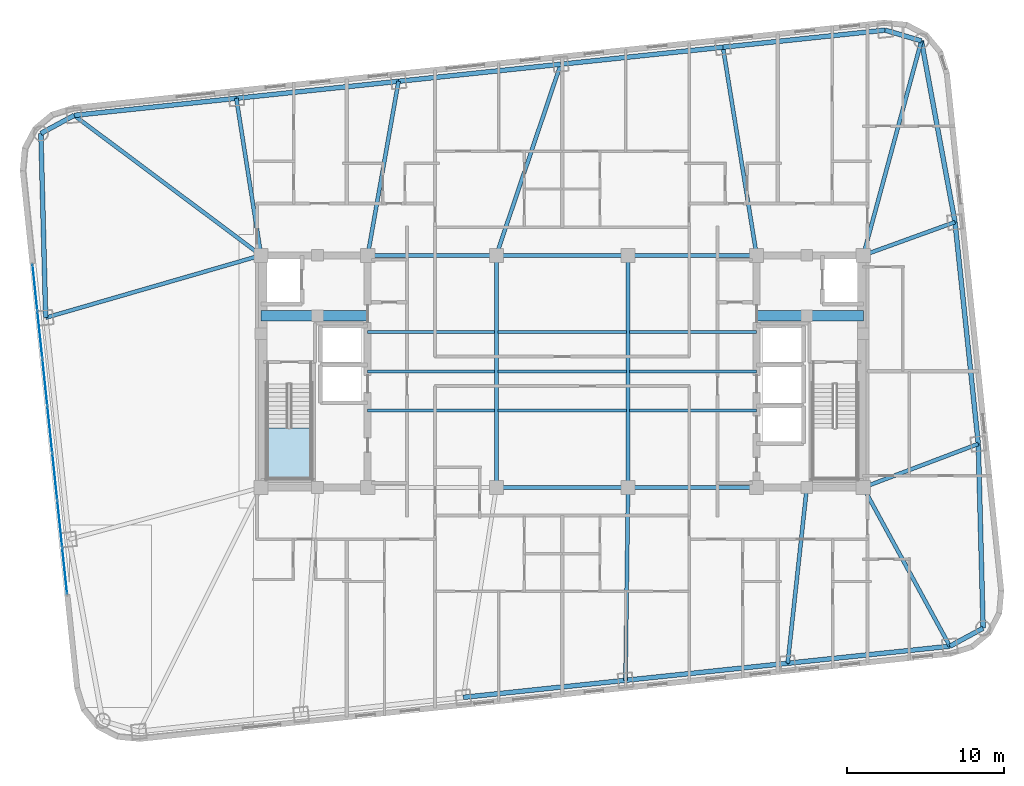
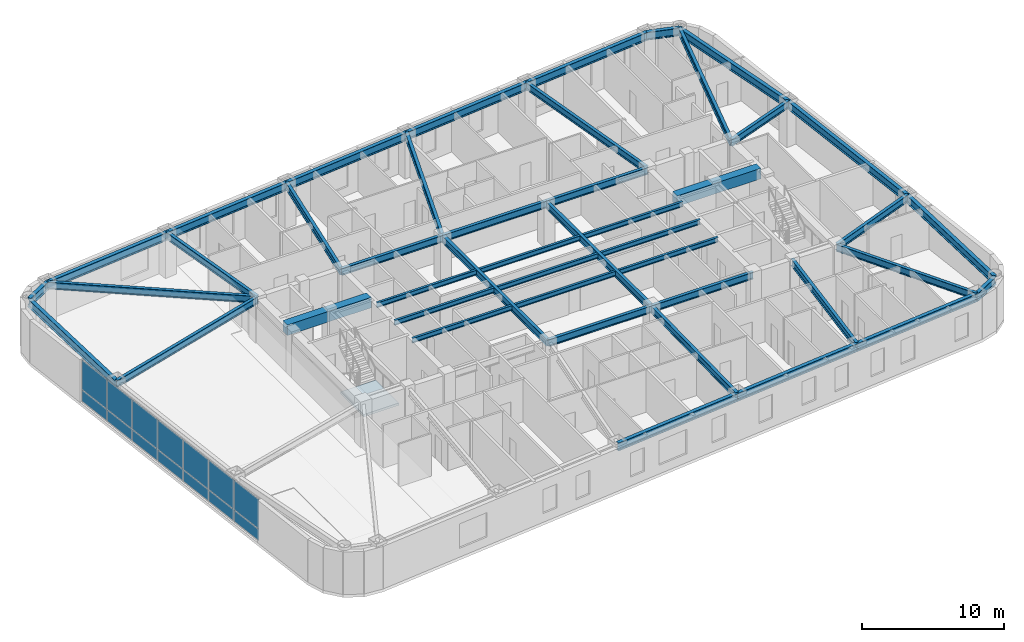
# One storey, part 5 of 15: 45 beams, 14 plates, 1 slab, 2 elements without a shape of their own.
"""IFC4 building model written with IfcOpenShell, lengths in metres."""

from ifc_helpers import new_model, si_unit, direction, frame, origin, origin_2d, place, context, subcontext, project, spatial, polyline, rectangle, i_section, outline, extrude, material, layer, layer_set, material_profile, profile_set, type_object, element, aggregate, save


model = new_model("IFC4")

# Units and contexts
model_context = context("Model", 3, precision=1e-05, world=origin(), true_north=direction((0.0, 1.0)))
body_context = subcontext(model_context, "Body", "Model", "MODEL_VIEW")
ifc_project = project(units=[si_unit("LENGTHUNIT", "METRE"), si_unit("AREAUNIT", "SQUARE_METRE"), si_unit("VOLUMEUNIT", "CUBIC_METRE"), si_unit("PLANEANGLEUNIT", "RADIAN"), si_unit("MASSUNIT", "GRAM", prefix="KILO")], contexts=[model_context])

# Site, building, storey
site_placement = place(None, origin())
site = spatial("IfcSite", under=ifc_project, at=site_placement, CompositionType="ELEMENT")
building_placement = place(site_placement, origin())
building = spatial("IfcBuilding", under=site, at=building_placement, Name="Voryun Gate Residences", CompositionType="ELEMENT")
storey_placement = place(building_placement, frame((0.0, 0.0, 148.199951171875)))
storey = spatial("IfcBuildingStorey", under=building, at=storey_placement, Name="L36", CompositionType="ELEMENT", Elevation=148.199951171875)

# Beams
ifc_material_1 = material(Name="Concrete C60/75", Category="concrete")
ifc_material_profile_1 = material_profile(ifc_material_1, rectangle(XDim=0.64990234375, YDim=0.89990234375, at=origin_2d()), Name="RC-650x900")
ifc_profile_set_1 = profile_set([ifc_material_profile_1], Name="Concrete C60/75")
beam_type_1 = type_object("IfcBeamType", Name="BM_COUP_RC900", PredefinedType="LINTEL", material=ifc_profile_set_1)
for number, where, z_axis, x_axis, name in (
    (1, (-19.199951171875, 3.550048828125, 3.199951171875), (1.0, 0.0, 0.0), (0.0, 1.0, 0.0), "BM-L36-WC1"),
    (2, (12.39990234375, 3.550048828125, 3.199951171875), (1.0, 0.0, 0.0), (0.0, 1.0, 0.0), "BM-L36-EC1"),
):
    element("IfcBeam", number, at=place(storey_placement, frame(where, z_axis=z_axis, x_axis=x_axis)), inside=storey, type_object=beam_type_1, Name=name, PredefinedType="LINTEL", context=body_context, shape_type="SweptSolid", body=[
        extrude(rectangle(XDim=0.64990234375, YDim=0.89990234375, at=origin_2d()), origin(), (0.0, 0.0, 1.0), 6.800048828125),
    ])
ifc_material_2 = material(Name="Steel SM355", Category="steel")
ifc_material_profile_2 = material_profile(ifc_material_2, i_section(OverallWidth=0.300048828125, OverallDepth=0.679931640625, WebThickness=0.013916015625, FlangeThickness=0.02490234375, FilletRadius=0.01806640625, at=origin_2d()), Name="H-680x300x14x25")
ifc_profile_set_2 = profile_set([ifc_material_profile_2], Name="Steel SM355")
beam_type_2 = type_object("IfcBeamType", Name="BM_EXO_SPANDREL_M", PredefinedType="SPANDREL", material=ifc_profile_set_2)
for number, where, z_axis, x_axis, name in (
    (3, (-6.30712890625, -20.785400390625, 3.31005859375), (0.994521263116, 0.104534478571, 0.0), (-0.104534478571, 0.994521263116, 0.0), "BM-L36-SPAND-03"),
    (4, (4.035888671875, -19.6982421875, 3.31005859375), (0.994521263116, 0.104534478571, 0.0), (-0.104534478571, 0.994521263116, 0.0), "BM-L36-SPAND-04"),
    (5, (14.37890625, -18.611083984375, 3.31005859375), (0.99452370336, 0.10451125994, 0.0), (-0.10451125994, 0.99452370336, 0.0), "BM-L36-SPAND-05"),
):
    element("IfcBeam", number, at=place(storey_placement, frame(where, z_axis=z_axis, x_axis=x_axis)), inside=storey, type_object=beam_type_2, Name=name, PredefinedType="SPANDREL", context=body_context, shape_type="SweptSolid", body=[
        extrude(i_section(OverallWidth=0.300048828125, OverallDepth=0.679931640625, WebThickness=0.013916015625, FlangeThickness=0.02490234375, FilletRadius=0.01806640625, at=origin_2d()), origin(), (0.0, 0.0, 1.0), 10.39990234375),
    ])
beam_1_placement = place(storey_placement, frame((24.721923828125, -17.524169921875, 3.31005859375), z_axis=(0.878830382314, 0.477134319791, 0.0), x_axis=(-0.477134319791, 0.878830382314, 0.0)))
element("IfcBeam", 6, at=beam_1_placement, inside=storey, type_object=beam_type_2, Name="BM-L36-SPAND-06", PredefinedType="SPANDREL", context=body_context, shape_type="SweptSolid", body=[
    extrude(i_section(OverallWidth=0.300048828125, OverallDepth=0.679931640625, WebThickness=0.013916015625, FlangeThickness=0.02490234375, FilletRadius=0.01806640625, at=origin_2d()), origin(), (0.0, 0.0, 1.0), 2.4111328125),
])
beam_2_placement = place(storey_placement, frame((26.8408203125, -16.373779296875, 3.31005859375), z_axis=(-0.026151005195, 0.999658003983, 0.0), x_axis=(-0.999658003983, -0.026151005195, 0.0)))
element("IfcBeam", 7, at=beam_2_placement, inside=storey, type_object=beam_type_2, Name="BM-L36-SPAND-07", PredefinedType="SPANDREL", context=body_context, shape_type="SweptSolid", body=[
    extrude(i_section(OverallWidth=0.300048828125, OverallDepth=0.679931640625, WebThickness=0.013916015625, FlangeThickness=0.02490234375, FilletRadius=0.01806640625, at=origin_2d()), origin(), (0.0, 0.0, 1.0), 11.753662109375),
])
beam_3_placement = place(storey_placement, frame((26.533447265625, -4.6240234375, 3.31005859375), z_axis=(-0.104523913446, 0.994522373563, 0.0), x_axis=(-0.994522373563, -0.104523913446, 0.0)))
element("IfcBeam", 8, at=beam_3_placement, inside=storey, type_object=beam_type_2, Name="BM-L36-SPAND-08", PredefinedType="SPANDREL", context=body_context, shape_type="SweptSolid", body=[
    extrude(i_section(OverallWidth=0.300048828125, OverallDepth=0.679931640625, WebThickness=0.013916015625, FlangeThickness=0.02490234375, FilletRadius=0.01806640625, at=origin_2d()), origin(), (0.0, 0.0, 1.0), 14.219970703125),
])
beam_4_placement = place(storey_placement, frame((25.047119140625, 9.51806640625, 3.31005859375), z_axis=(-0.182267768769, 0.983248931079, 0.0), x_axis=(-0.983248931079, -0.182267768769, 0.0)))
element("IfcBeam", 9, at=beam_4_placement, inside=storey, type_object=beam_type_2, Name="BM-L36-SPAND-09", PredefinedType="SPANDREL", context=body_context, shape_type="SweptSolid", body=[
    extrude(i_section(OverallWidth=0.300048828125, OverallDepth=0.679931640625, WebThickness=0.013916015625, FlangeThickness=0.02490234375, FilletRadius=0.01806640625, at=origin_2d()), origin(), (0.0, 0.0, 1.0), 11.753662109375),
])
beam_5_placement = place(storey_placement, frame((22.90478515625, 21.074951171875, 3.31005859375), z_axis=(-0.958843048967, 0.283936625758, 0.0), x_axis=(-0.283936625758, -0.958843048967, 0.0)))
element("IfcBeam", 10, at=beam_5_placement, inside=storey, type_object=beam_type_2, Name="BM-L36-SPAND-10", PredefinedType="SPANDREL", context=body_context, shape_type="SweptSolid", body=[
    extrude(i_section(OverallWidth=0.300048828125, OverallDepth=0.679931640625, WebThickness=0.013916015625, FlangeThickness=0.02490234375, FilletRadius=0.01806640625, at=origin_2d()), origin(), (0.0, 0.0, 1.0), 2.410888671875),
])
for number, where, z_axis, x_axis, name in (
    (11, (20.593017578125, 21.759521484375, 3.31005859375), (-0.994521263116, -0.104534478571, 0.0), (0.104534478571, -0.994521263116, 0.0), "BM-L36-SPAND-11"),
    (12, (10.25, 20.67236328125, 3.31005859375), (-0.99452370336, -0.10451125994, 0.0), (0.10451125994, -0.99452370336, 0.0), "BM-L36-SPAND-12"),
    (13, (-0.093017578125, 19.58544921875, 3.31005859375), (-0.994521263116, -0.104534478571, 0.0), (0.104534478571, -0.994521263116, 0.0), "BM-L36-SPAND-13"),
    (14, (-10.43603515625, 18.498291015625, 3.31005859375), (-0.994521263116, -0.104534478571, 0.0), (0.104534478571, -0.994521263116, 0.0), "BM-L36-SPAND-14"),
    (15, (-20.779052734375, 17.4111328125, 3.31005859375), (-0.994521263116, -0.104534478571, 0.0), (0.104534478571, -0.994521263116, 0.0), "BM-L36-SPAND-15"),
):
    element("IfcBeam", number, at=place(storey_placement, frame(where, z_axis=z_axis, x_axis=x_axis)), inside=storey, type_object=beam_type_2, Name=name, PredefinedType="SPANDREL", context=body_context, shape_type="SweptSolid", body=[
        extrude(i_section(OverallWidth=0.300048828125, OverallDepth=0.679931640625, WebThickness=0.013916015625, FlangeThickness=0.02490234375, FilletRadius=0.01806640625, at=origin_2d()), origin(), (0.0, 0.0, 1.0), 10.39990234375),
    ])
beam_6_placement = place(storey_placement, frame((-31.1220703125, 16.323974609375, 3.31005859375), z_axis=(-0.878807326808, -0.47717678312, 0.0), x_axis=(0.47717678312, -0.878807326808, 0.0)))
element("IfcBeam", 16, at=beam_6_placement, inside=storey, type_object=beam_type_2, Name="BM-L36-SPAND-16", PredefinedType="SPANDREL", context=body_context, shape_type="SweptSolid", body=[
    extrude(i_section(OverallWidth=0.300048828125, OverallDepth=0.679931640625, WebThickness=0.013916015625, FlangeThickness=0.02490234375, FilletRadius=0.01806640625, at=origin_2d()), origin(), (0.0, 0.0, 1.0), 2.410888671875),
])
beam_7_placement = place(storey_placement, frame((-33.24072265625, 15.173583984375, 3.31005859375), z_axis=(0.026130790716, -0.999658532588, 0.0), x_axis=(0.999658532588, 0.026130790716, 0.0)))
element("IfcBeam", 17, at=beam_7_placement, inside=storey, type_object=beam_type_2, Name="BM-L36-SPAND-17", PredefinedType="SPANDREL", context=body_context, shape_type="SweptSolid", body=[
    extrude(i_section(OverallWidth=0.300048828125, OverallDepth=0.679931640625, WebThickness=0.013916015625, FlangeThickness=0.02490234375, FilletRadius=0.01806640625, at=origin_2d()), origin(), (0.0, 0.0, 1.0), 11.75341796875),
])
ifc_material_3 = material(Name="Steel SM355", Category="steel")
ifc_material_profile_3 = material_profile(ifc_material_3, i_section(OverallWidth=0.25, OverallDepth=0.60009765625, WebThickness=0.011962890625, FlangeThickness=0.02197265625, FilletRadius=0.01806640625, at=origin_2d()), Name="H-600x250x12x22")
ifc_profile_set_3 = profile_set([ifc_material_profile_3], Name="Steel SM355")
beam_type_3 = type_object("IfcBeamType", Name="BM_GIRD_600", PredefinedType="USERDEFINED", material=ifc_profile_set_3)
beam_8_placement = place(storey_placement, frame((-4.199951171875, -7.39990234375, 3.35009765625), z_axis=(1.0, 0.0, 0.0), x_axis=(0.0, 1.0, 0.0)))
element("IfcBeam", 18, at=beam_8_placement, inside=storey, type_object=beam_type_3, Name="BM-L36-SPG2-S", ObjectType="GIRDER", PredefinedType="USERDEFINED", context=body_context, shape_type="SweptSolid", body=[
    extrude(i_section(OverallWidth=0.25, OverallDepth=0.60009765625, WebThickness=0.011962890625, FlangeThickness=0.02197265625, FilletRadius=0.01806640625, at=origin_2d()), origin(), (0.0, 0.0, 1.0), 8.39990234375),
])
for number, where, z_axis, x_axis, name in (
    (19, (4.199951171875, -7.39990234375, 3.35009765625), (1.0, 0.0, 0.0), (0.0, 1.0, 0.0), "BM-L36-SPG3-S"),
    (20, (-12.39990234375, 7.39990234375, 3.35009765625), (1.0, 0.0, 0.0), (0.0, 1.0, 0.0), "BM-L36-SPG1-N"),
):
    element("IfcBeam", number, at=place(storey_placement, frame(where, z_axis=z_axis, x_axis=x_axis)), inside=storey, type_object=beam_type_3, Name=name, ObjectType="GIRDER", PredefinedType="USERDEFINED", context=body_context, shape_type="SweptSolid", body=[
        extrude(i_section(OverallWidth=0.25, OverallDepth=0.60009765625, WebThickness=0.011962890625, FlangeThickness=0.02197265625, FilletRadius=0.01806640625, at=origin_2d()), origin(), (0.0, 0.0, 1.0), 8.199951171875),
    ])
beam_9_placement = place(storey_placement, frame((-4.199951171875, 7.39990234375, 3.35009765625), z_axis=(1.0, 0.0, 0.0), x_axis=(0.0, 1.0, 0.0)))
element("IfcBeam", 21, at=beam_9_placement, inside=storey, type_object=beam_type_3, Name="BM-L36-SPG2-N", ObjectType="GIRDER", PredefinedType="USERDEFINED", context=body_context, shape_type="SweptSolid", body=[
    extrude(i_section(OverallWidth=0.25, OverallDepth=0.60009765625, WebThickness=0.011962890625, FlangeThickness=0.02197265625, FilletRadius=0.01806640625, at=origin_2d()), origin(), (0.0, 0.0, 1.0), 8.39990234375),
])
beam_10_placement = place(storey_placement, frame((4.199951171875, 7.39990234375, 3.35009765625), z_axis=(1.0, 0.0, 0.0), x_axis=(0.0, 1.0, 0.0)))
element("IfcBeam", 22, at=beam_10_placement, inside=storey, type_object=beam_type_3, Name="BM-L36-SPG3-N", ObjectType="GIRDER", PredefinedType="USERDEFINED", context=body_context, shape_type="SweptSolid", body=[
    extrude(i_section(OverallWidth=0.25, OverallDepth=0.60009765625, WebThickness=0.011962890625, FlangeThickness=0.02197265625, FilletRadius=0.01806640625, at=origin_2d()), origin(), (0.0, 0.0, 1.0), 8.199951171875),
])
for number, where, z_axis, x_axis, name in (
    (23, (-4.199951171875, -7.39990234375, 3.35009765625), (0.0, 1.0, 0.0), (-1.0, 0.0, 0.0), "BM-L36-SPX-W"),
    (24, (4.199951171875, -7.39990234375, 3.35009765625), (0.0, 1.0, 0.0), (-1.0, 0.0, 0.0), "BM-L36-SPX-E"),
):
    element("IfcBeam", number, at=place(storey_placement, frame(where, z_axis=z_axis, x_axis=x_axis)), inside=storey, type_object=beam_type_3, Name=name, ObjectType="GIRDER", PredefinedType="USERDEFINED", context=body_context, shape_type="SweptSolid", body=[
        extrude(i_section(OverallWidth=0.25, OverallDepth=0.60009765625, WebThickness=0.011962890625, FlangeThickness=0.02197265625, FilletRadius=0.01806640625, at=origin_2d()), origin(), (0.0, 0.0, 1.0), 14.7998046875),
    ])
beam_11_placement = place(storey_placement, frame((4.199951171875, -7.39990234375, 3.35009765625), z_axis=(-0.013339028327, -0.999911031204, 0.0), x_axis=(0.999911031204, -0.013339028327, 0.0)))
element("IfcBeam", 25, at=beam_11_placement, inside=storey, type_object=beam_type_3, Name="BM-L36-RAD-S4", ObjectType="GIRDER", PredefinedType="USERDEFINED", context=body_context, shape_type="SweptSolid", body=[
    extrude(i_section(OverallWidth=0.25, OverallDepth=0.60009765625, WebThickness=0.011962890625, FlangeThickness=0.02197265625, FilletRadius=0.01806640625, at=origin_2d()), origin(), (0.0, 0.0, 1.0), 12.29931640625),
])
beam_12_placement = place(storey_placement, frame((15.60009765625, -7.39990234375, 3.35009765625), z_axis=(-0.108285693252, -0.994119816037, 0.0), x_axis=(0.994119816037, -0.108285693252, 0.0)))
element("IfcBeam", 26, at=beam_12_placement, inside=storey, type_object=beam_type_3, Name="BM-L36-RAD-S5", ObjectType="GIRDER", PredefinedType="USERDEFINED", context=body_context, shape_type="SweptSolid", body=[
    extrude(i_section(OverallWidth=0.25, OverallDepth=0.60009765625, WebThickness=0.011962890625, FlangeThickness=0.02197265625, FilletRadius=0.01806640625, at=origin_2d()), origin(), (0.0, 0.0, 1.0), 11.277587890625),
])
beam_13_placement = place(storey_placement, frame((19.199951171875, -7.39990234375, 3.35009765625), z_axis=(0.478828398266, -0.877908517451, 0.0), x_axis=(0.877908517451, 0.478828398266, 0.0)))
element("IfcBeam", 27, at=beam_13_placement, inside=storey, type_object=beam_type_3, Name="BM-L36-RAD-S6", ObjectType="GIRDER", PredefinedType="USERDEFINED", context=body_context, shape_type="SweptSolid", body=[
    extrude(i_section(OverallWidth=0.25, OverallDepth=0.60009765625, WebThickness=0.011962890625, FlangeThickness=0.02197265625, FilletRadius=0.01806640625, at=origin_2d()), origin(), (0.0, 0.0, 1.0), 11.5322265625),
])
beam_14_placement = place(storey_placement, frame((19.199951171875, -7.39990234375, 3.35009765625), z_axis=(0.93524224301, 0.354008399462, 0.0), x_axis=(-0.354008399462, 0.93524224301, 0.0)))
element("IfcBeam", 28, at=beam_14_placement, inside=storey, type_object=beam_type_3, Name="BM-L36-RAD-E1", ObjectType="GIRDER", PredefinedType="USERDEFINED", context=body_context, shape_type="SweptSolid", body=[
    extrude(i_section(OverallWidth=0.25, OverallDepth=0.60009765625, WebThickness=0.011962890625, FlangeThickness=0.02197265625, FilletRadius=0.01806640625, at=origin_2d()), origin(), (0.0, 0.0, 1.0), 7.84130859375),
])
beam_15_placement = place(storey_placement, frame((19.199951171875, 7.39990234375, 3.35009765625), z_axis=(0.94020993833, 0.340595466595, 0.0), x_axis=(-0.340595466595, 0.94020993833, 0.0)))
element("IfcBeam", 29, at=beam_15_placement, inside=storey, type_object=beam_type_3, Name="BM-L36-RAD-E2", ObjectType="GIRDER", PredefinedType="USERDEFINED", context=body_context, shape_type="SweptSolid", body=[
    extrude(i_section(OverallWidth=0.25, OverallDepth=0.60009765625, WebThickness=0.011962890625, FlangeThickness=0.02197265625, FilletRadius=0.01806640625, at=origin_2d()), origin(), (0.0, 0.0, 1.0), 6.218994140625),
])
beam_16_placement = place(storey_placement, frame((19.199951171875, 7.39990234375, 3.35009765625), z_axis=(0.261492735838, 0.965205443988, 0.0), x_axis=(-0.965205443988, 0.261492735838, 0.0)))
element("IfcBeam", 30, at=beam_16_placement, inside=storey, type_object=beam_type_3, Name="BM-L36-RAD-CNE", ObjectType="GIRDER", PredefinedType="USERDEFINED", context=body_context, shape_type="SweptSolid", body=[
    extrude(i_section(OverallWidth=0.25, OverallDepth=0.60009765625, WebThickness=0.011962890625, FlangeThickness=0.02197265625, FilletRadius=0.01806640625, at=origin_2d()), origin(), (0.0, 0.0, 1.0), 14.16796875),
])
beam_17_placement = place(storey_placement, frame((12.39990234375, 7.39990234375, 3.35009765625), z_axis=(-0.159898055533, 0.987133532931, 0.0), x_axis=(-0.987133532931, -0.159898055533, 0.0)))
element("IfcBeam", 31, at=beam_17_placement, inside=storey, type_object=beam_type_3, Name="BM-L36-RAD-N2", ObjectType="GIRDER", PredefinedType="USERDEFINED", context=body_context, shape_type="SweptSolid", body=[
    extrude(i_section(OverallWidth=0.25, OverallDepth=0.60009765625, WebThickness=0.011962890625, FlangeThickness=0.02197265625, FilletRadius=0.01806640625, at=origin_2d()), origin(), (0.0, 0.0, 1.0), 13.445556640625),
])
beam_18_placement = place(storey_placement, frame((-4.199951171875, 7.39990234375, 3.35009765625), z_axis=(0.319381479956, 0.947626229197, 0.0), x_axis=(-0.947626229197, 0.319381479956, 0.0)))
element("IfcBeam", 32, at=beam_18_placement, inside=storey, type_object=beam_type_3, Name="BM-L36-RAD-N3", ObjectType="GIRDER", PredefinedType="USERDEFINED", context=body_context, shape_type="SweptSolid", body=[
    extrude(i_section(OverallWidth=0.25, OverallDepth=0.60009765625, WebThickness=0.011962890625, FlangeThickness=0.02197265625, FilletRadius=0.01806640625, at=origin_2d()), origin(), (0.0, 0.0, 1.0), 12.859130859375),
])
beam_19_placement = place(storey_placement, frame((-12.39990234375, 7.39990234375, 3.35009765625), z_axis=(0.174243764839, 0.984702549207, 0.0), x_axis=(-0.984702549207, 0.174243764839, 0.0)))
element("IfcBeam", 33, at=beam_19_placement, inside=storey, type_object=beam_type_3, Name="BM-L36-RAD-N4", ObjectType="GIRDER", PredefinedType="USERDEFINED", context=body_context, shape_type="SweptSolid", body=[
    extrude(i_section(OverallWidth=0.25, OverallDepth=0.60009765625, WebThickness=0.011962890625, FlangeThickness=0.02197265625, FilletRadius=0.01806640625, at=origin_2d()), origin(), (0.0, 0.0, 1.0), 11.270751953125),
])
beam_20_placement = place(storey_placement, frame((-19.199951171875, 7.39990234375, 3.35009765625), z_axis=(-0.155806710133, 0.987787562727, 0.0), x_axis=(-0.987787562727, -0.155806710133, 0.0)))
element("IfcBeam", 34, at=beam_20_placement, inside=storey, type_object=beam_type_3, Name="BM-L36-RAD-N5", ObjectType="GIRDER", PredefinedType="USERDEFINED", context=body_context, shape_type="SweptSolid", body=[
    extrude(i_section(OverallWidth=0.25, OverallDepth=0.60009765625, WebThickness=0.011962890625, FlangeThickness=0.02197265625, FilletRadius=0.01806640625, at=origin_2d()), origin(), (0.0, 0.0, 1.0), 10.135009765625),
])
beam_21_placement = place(storey_placement, frame((-19.199951171875, 7.39990234375, 3.35009765625), z_axis=(-0.800564252374, 0.599246925583, 0.0), x_axis=(-0.599246925583, -0.800564252374, 0.0)))
element("IfcBeam", 35, at=beam_21_placement, inside=storey, type_object=beam_type_3, Name="BM-L36-RAD-N6", ObjectType="GIRDER", PredefinedType="USERDEFINED", context=body_context, shape_type="SweptSolid", body=[
    extrude(i_section(OverallWidth=0.25, OverallDepth=0.60009765625, WebThickness=0.011962890625, FlangeThickness=0.02197265625, FilletRadius=0.01806640625, at=origin_2d()), origin(), (0.0, 0.0, 1.0), 14.89208984375),
])
beam_22_placement = place(storey_placement, frame((-19.199951171875, 7.39990234375, 3.35009765625), z_axis=(-0.960558623239, -0.278077563498, 0.0), x_axis=(0.278077563498, -0.960558623239, 0.0)))
element("IfcBeam", 36, at=beam_22_placement, inside=storey, type_object=beam_type_3, Name="BM-L36-RAD-W1", ObjectType="GIRDER", PredefinedType="USERDEFINED", context=body_context, shape_type="SweptSolid", body=[
    extrude(i_section(OverallWidth=0.25, OverallDepth=0.60009765625, WebThickness=0.011962890625, FlangeThickness=0.02197265625, FilletRadius=0.01806640625, at=origin_2d()), origin(), (0.0, 0.0, 1.0), 14.297607421875),
])
ifc_material_4 = material(Name="Steel SM355", Category="steel")
ifc_material_profile_4 = material_profile(ifc_material_4, i_section(OverallWidth=0.18994140625, OverallDepth=0.419921875, WebThickness=0.009033203125, FlangeThickness=0.01611328125, FilletRadius=0.01806640625, at=origin_2d()), Name="H-420x190x9x16")
ifc_profile_set_4 = profile_set([ifc_material_profile_4], Name="Steel SM355")
beam_type_4 = type_object("IfcBeamType", Name="BM_SEC_420", PredefinedType="BEAM", material=ifc_profile_set_4)
beam_23_placement = place(storey_placement, frame((-12.39990234375, -2.5, 3.43994140625), z_axis=(1.0, 0.0, 0.0), x_axis=(0.0, 1.0, 0.0)))
element("IfcBeam", 37, at=beam_23_placement, inside=storey, type_object=beam_type_4, Name="BM-L36-SEC-CS1", PredefinedType="BEAM", context=body_context, shape_type="SweptSolid", body=[
    extrude(i_section(OverallWidth=0.18994140625, OverallDepth=0.419921875, WebThickness=0.009033203125, FlangeThickness=0.01611328125, FilletRadius=0.01806640625, at=origin_2d()), origin(), (0.0, 0.0, 1.0), 8.099853515625),
])
beam_24_placement = place(storey_placement, frame((-4.10009765625, -2.5, 3.43994140625), z_axis=(1.0, 0.0, 0.0), x_axis=(0.0, 1.0, 0.0)))
element("IfcBeam", 38, at=beam_24_placement, inside=storey, type_object=beam_type_4, Name="BM-L36-SEC-CS2", PredefinedType="BEAM", context=body_context, shape_type="SweptSolid", body=[
    extrude(i_section(OverallWidth=0.18994140625, OverallDepth=0.419921875, WebThickness=0.009033203125, FlangeThickness=0.01611328125, FilletRadius=0.01806640625, at=origin_2d()), origin(), (0.0, 0.0, 1.0), 8.2001953125),
])
for number, where, z_axis, x_axis, name in (
    (39, (4.300048828125, -2.5, 3.43994140625), (1.0, 0.0, 0.0), (0.0, 1.0, 0.0), "BM-L36-SEC-CS3"),
    (40, (-12.39990234375, 0.0, 3.43994140625), (1.0, 0.0, 0.0), (0.0, 1.0, 0.0), "BM-L36-SEC-CM1"),
):
    element("IfcBeam", number, at=place(storey_placement, frame(where, z_axis=z_axis, x_axis=x_axis)), inside=storey, type_object=beam_type_4, Name=name, PredefinedType="BEAM", context=body_context, shape_type="SweptSolid", body=[
        extrude(i_section(OverallWidth=0.18994140625, OverallDepth=0.419921875, WebThickness=0.009033203125, FlangeThickness=0.01611328125, FilletRadius=0.01806640625, at=origin_2d()), origin(), (0.0, 0.0, 1.0), 8.099853515625),
    ])
beam_25_placement = place(storey_placement, frame((-4.10009765625, 0.0, 3.43994140625), z_axis=(1.0, 0.0, 0.0), x_axis=(0.0, 1.0, 0.0)))
element("IfcBeam", 41, at=beam_25_placement, inside=storey, type_object=beam_type_4, Name="BM-L36-SEC-CM2", PredefinedType="BEAM", context=body_context, shape_type="SweptSolid", body=[
    extrude(i_section(OverallWidth=0.18994140625, OverallDepth=0.419921875, WebThickness=0.009033203125, FlangeThickness=0.01611328125, FilletRadius=0.01806640625, at=origin_2d()), origin(), (0.0, 0.0, 1.0), 8.2001953125),
])
for number, where, z_axis, x_axis, name in (
    (42, (4.300048828125, 0.0, 3.43994140625), (1.0, 0.0, 0.0), (0.0, 1.0, 0.0), "BM-L36-SEC-CM3"),
    (43, (-12.39990234375, 2.5, 3.43994140625), (1.0, 0.0, 0.0), (0.0, 1.0, 0.0), "BM-L36-SEC-CN1"),
):
    element("IfcBeam", number, at=place(storey_placement, frame(where, z_axis=z_axis, x_axis=x_axis)), inside=storey, type_object=beam_type_4, Name=name, PredefinedType="BEAM", context=body_context, shape_type="SweptSolid", body=[
        extrude(i_section(OverallWidth=0.18994140625, OverallDepth=0.419921875, WebThickness=0.009033203125, FlangeThickness=0.01611328125, FilletRadius=0.01806640625, at=origin_2d()), origin(), (0.0, 0.0, 1.0), 8.099853515625),
    ])
beam_26_placement = place(storey_placement, frame((-4.10009765625, 2.5, 3.43994140625), z_axis=(1.0, 0.0, 0.0), x_axis=(0.0, 1.0, 0.0)))
element("IfcBeam", 44, at=beam_26_placement, inside=storey, type_object=beam_type_4, Name="BM-L36-SEC-CN2", PredefinedType="BEAM", context=body_context, shape_type="SweptSolid", body=[
    extrude(i_section(OverallWidth=0.18994140625, OverallDepth=0.419921875, WebThickness=0.009033203125, FlangeThickness=0.01611328125, FilletRadius=0.01806640625, at=origin_2d()), origin(), (0.0, 0.0, 1.0), 8.2001953125),
])
beam_27_placement = place(storey_placement, frame((4.300048828125, 2.5, 3.43994140625), z_axis=(1.0, 0.0, 0.0), x_axis=(0.0, 1.0, 0.0)))
element("IfcBeam", 45, at=beam_27_placement, inside=storey, type_object=beam_type_4, Name="BM-L36-SEC-CN3", PredefinedType="BEAM", context=body_context, shape_type="SweptSolid", body=[
    extrude(i_section(OverallWidth=0.18994140625, OverallDepth=0.419921875, WebThickness=0.009033203125, FlangeThickness=0.01611328125, FilletRadius=0.01806640625, at=origin_2d()), origin(), (0.0, 0.0, 1.0), 8.099853515625),
])

# Curtain wall, plates
ifc_material_5 = material(Name="Anodised aluminium", Category="aluminium")
ifc_layer_1 = layer(ifc_material_5, 0.2099609375, Name="CW_SYS_SKYGARDEN_DARK_GLASS")
ifc_layer_set_1 = layer_set([ifc_layer_1], Name="Anodised aluminium")
curtain_wall_type = type_object("IfcCurtainWallType", Name="CW_SYS_SKYGARDEN_DARK_GLASS", PredefinedType="NOTDEFINED", material=ifc_layer_set_1)
curtain_wall_placement = place(storey_placement, origin())
curtain_wall = element("IfcCurtainWall", 46, at=curtain_wall_placement, inside=storey, type_object=curtain_wall_type, Name="Curtain wall CW5-L36-SG-06", PredefinedType="NOTDEFINED")
ifc_material_6 = material(Name="Laminated low-E glass", Category="glass")
ifc_layer_2 = layer(ifc_material_6, 0.0458984375, Name="PLT_GLASS_DARK_SKY")
ifc_layer_set_2 = layer_set([ifc_layer_2], Name="Laminated low-E glass")
plate_type = type_object("IfcPlateType", Name="PLT_GLASS_DARK_SKY", PredefinedType="CURTAIN_PANEL", material=ifc_layer_set_2)
plate_1_placement = place(storey_placement, frame((-31.71826171875, -12.7294921875, 0.06005859375), z_axis=(0.0, 0.0, 1.0), x_axis=(-0.104529794654, 0.994521755433, 0.0)))
plate_1 = element("IfcPlate", 47, at=plate_1_placement, type_object=plate_type, Name="CW5 panel 1.1", PredefinedType="CURTAIN_PANEL", context=body_context, shape_type="SweptSolid", body=[
    extrude(rectangle(XDim=2.9423828125, YDim=0.028076171875, at=origin_2d()), origin(), (0.0, 0.0, 1.0), 0.9599609375),
])
plate_2_placement = place(storey_placement, frame((-31.71826171875, -12.7294921875, 1.080078125), z_axis=(0.0, 0.0, 1.0), x_axis=(-0.104529794654, 0.994521755433, 0.0)))
plate_2 = element("IfcPlate", 48, at=plate_2_placement, type_object=plate_type, Name="CW5 panel 1.2", PredefinedType="CURTAIN_PANEL", context=body_context, shape_type="SweptSolid", body=[
    extrude(rectangle(XDim=2.9423828125, YDim=0.028076171875, at=origin_2d()), origin(), (0.0, 0.0, 1.0), 2.510009765625),
])
plate_3_placement = place(storey_placement, frame((-32.03369140625, -9.728759765625, 0.06005859375), z_axis=(0.0, 0.0, 1.0), x_axis=(-0.104529794654, 0.994521755433, 0.0)))
plate_3 = element("IfcPlate", 49, at=plate_3_placement, type_object=plate_type, Name="CW5 panel 2.1", PredefinedType="CURTAIN_PANEL", context=body_context, shape_type="SweptSolid", body=[
    extrude(rectangle(XDim=2.972412109375, YDim=0.028076171875, at=origin_2d()), origin(), (0.0, 0.0, 1.0), 0.9599609375),
])
plate_4_placement = place(storey_placement, frame((-32.03369140625, -9.728759765625, 1.080078125), z_axis=(0.0, 0.0, 1.0), x_axis=(-0.104529794654, 0.994521755433, 0.0)))
plate_4 = element("IfcPlate", 50, at=plate_4_placement, type_object=plate_type, Name="CW5 panel 2.2", PredefinedType="CURTAIN_PANEL", context=body_context, shape_type="SweptSolid", body=[
    extrude(rectangle(XDim=2.972412109375, YDim=0.028076171875, at=origin_2d()), origin(), (0.0, 0.0, 1.0), 2.510009765625),
])
plate_5_placement = place(storey_placement, frame((-32.350830078125, -6.712890625, 0.06005859375), z_axis=(0.0, 0.0, 1.0), x_axis=(-0.104529794654, 0.994521755433, 0.0)))
plate_5 = element("IfcPlate", 51, at=plate_5_placement, type_object=plate_type, Name="CW5 panel 3.1", PredefinedType="CURTAIN_PANEL", context=body_context, shape_type="SweptSolid", body=[
    extrude(rectangle(XDim=2.972412109375, YDim=0.028076171875, at=origin_2d()), origin(), (0.0, 0.0, 1.0), 0.9599609375),
])
plate_6_placement = place(storey_placement, frame((-32.350830078125, -6.712890625, 1.080078125), z_axis=(0.0, 0.0, 1.0), x_axis=(-0.104529794654, 0.994521755433, 0.0)))
plate_6 = element("IfcPlate", 52, at=plate_6_placement, type_object=plate_type, Name="CW5 panel 3.2", PredefinedType="CURTAIN_PANEL", context=body_context, shape_type="SweptSolid", body=[
    extrude(rectangle(XDim=2.972412109375, YDim=0.028076171875, at=origin_2d()), origin(), (0.0, 0.0, 1.0), 2.510009765625),
])
plate_7_placement = place(storey_placement, frame((-32.667724609375, -3.697265625, 0.06005859375), z_axis=(0.0, 0.0, 1.0), x_axis=(-0.104529794654, 0.994521755433, 0.0)))
plate_7 = element("IfcPlate", 53, at=plate_7_placement, type_object=plate_type, Name="CW5 panel 4.1", PredefinedType="CURTAIN_PANEL", context=body_context, shape_type="SweptSolid", body=[
    extrude(rectangle(XDim=2.972412109375, YDim=0.028076171875, at=origin_2d()), origin(), (0.0, 0.0, 1.0), 0.9599609375),
])
plate_8_placement = place(storey_placement, frame((-32.667724609375, -3.697265625, 1.080078125), z_axis=(0.0, 0.0, 1.0), x_axis=(-0.104529794654, 0.994521755433, 0.0)))
plate_8 = element("IfcPlate", 54, at=plate_8_placement, type_object=plate_type, Name="CW5 panel 4.2", PredefinedType="CURTAIN_PANEL", context=body_context, shape_type="SweptSolid", body=[
    extrude(rectangle(XDim=2.972412109375, YDim=0.028076171875, at=origin_2d()), origin(), (0.0, 0.0, 1.0), 2.510009765625),
])
plate_9_placement = place(storey_placement, frame((-32.984619140625, -0.681396484375, 0.06005859375), z_axis=(0.0, 0.0, 1.0), x_axis=(-0.104529794654, 0.994521755433, 0.0)))
plate_9 = element("IfcPlate", 55, at=plate_9_placement, type_object=plate_type, Name="CW5 panel 5.1", PredefinedType="CURTAIN_PANEL", context=body_context, shape_type="SweptSolid", body=[
    extrude(rectangle(XDim=2.972412109375, YDim=0.028076171875, at=origin_2d()), origin(), (0.0, 0.0, 1.0), 0.9599609375),
])
plate_10_placement = place(storey_placement, frame((-32.984619140625, -0.681396484375, 1.080078125), z_axis=(0.0, 0.0, 1.0), x_axis=(-0.104529794654, 0.994521755433, 0.0)))
plate_10 = element("IfcPlate", 56, at=plate_10_placement, type_object=plate_type, Name="CW5 panel 5.2", PredefinedType="CURTAIN_PANEL", context=body_context, shape_type="SweptSolid", body=[
    extrude(rectangle(XDim=2.972412109375, YDim=0.028076171875, at=origin_2d()), origin(), (0.0, 0.0, 1.0), 2.510009765625),
])
plate_11_placement = place(storey_placement, frame((-33.3017578125, 2.334228515625, 0.06005859375), z_axis=(0.0, 0.0, 1.0), x_axis=(-0.104529794654, 0.994521755433, 0.0)))
plate_11 = element("IfcPlate", 57, at=plate_11_placement, type_object=plate_type, Name="CW5 panel 6.1", PredefinedType="CURTAIN_PANEL", context=body_context, shape_type="SweptSolid", body=[
    extrude(rectangle(XDim=2.972412109375, YDim=0.028076171875, at=origin_2d()), origin(), (0.0, 0.0, 1.0), 0.9599609375),
])
plate_12_placement = place(storey_placement, frame((-33.3017578125, 2.334228515625, 1.080078125), z_axis=(0.0, 0.0, 1.0), x_axis=(-0.104529794654, 0.994521755433, 0.0)))
plate_12 = element("IfcPlate", 58, at=plate_12_placement, type_object=plate_type, Name="CW5 panel 6.2", PredefinedType="CURTAIN_PANEL", context=body_context, shape_type="SweptSolid", body=[
    extrude(rectangle(XDim=2.972412109375, YDim=0.028076171875, at=origin_2d()), origin(), (0.0, 0.0, 1.0), 2.510009765625),
])
plate_13_placement = place(storey_placement, frame((-33.616943359375, 5.335205078125, 0.06005859375), z_axis=(0.0, 0.0, 1.0), x_axis=(-0.104529794654, 0.994521755433, 0.0)))
plate_13 = element("IfcPlate", 59, at=plate_13_placement, type_object=plate_type, Name="CW5 panel 7.1", PredefinedType="CURTAIN_PANEL", context=body_context, shape_type="SweptSolid", body=[
    extrude(rectangle(XDim=2.9423828125, YDim=0.028076171875, at=origin_2d()), origin(), (0.0, 0.0, 1.0), 0.9599609375),
])
plate_14_placement = place(storey_placement, frame((-33.616943359375, 5.335205078125, 1.080078125), z_axis=(0.0, 0.0, 1.0), x_axis=(-0.104529794654, 0.994521755433, 0.0)))
plate_14 = element("IfcPlate", 60, at=plate_14_placement, type_object=plate_type, Name="CW5 panel 7.2", PredefinedType="CURTAIN_PANEL", context=body_context, shape_type="SweptSolid", body=[
    extrude(rectangle(XDim=2.9423828125, YDim=0.028076171875, at=origin_2d()), origin(), (0.0, 0.0, 1.0), 2.510009765625),
])
aggregate(curtain_wall, [plate_1, plate_2, plate_3, plate_4, plate_5, plate_6, plate_7, plate_8, plate_9, plate_10, plate_11, plate_12, plate_13, plate_14])

# Stair, slab
ifc_material_7 = material(Name="Concrete C40/50", Category="concrete")
stair_type = type_object("IfcStairType", Name="STR_CORE_DOGLEG_1350", PredefinedType="HALF_TURN_STAIR", material=ifc_material_7)
stair_placement = place(storey_placement, origin())
stair = element("IfcStair", 61, at=stair_placement, inside=storey, type_object=stair_type, Name="L36 Special Escape Stair ST-W1", PredefinedType="HALF_TURN_STAIR")
ifc_material_8 = material(Name="Concrete C40/50", Category="concrete")
ifc_layer_3 = layer(ifc_material_8, 0.199951171875, Name="SLB_STAIR_LANDING_200")
ifc_layer_set_3 = layer_set([ifc_layer_3], Name="Concrete C40/50")
slab_type = type_object("IfcSlabType", Name="SLB_STAIR_LANDING_200", PredefinedType="LANDING", material=ifc_layer_set_3)
slab_placement = place(storey_placement, frame((0.0, 0.0, 1.75)))
slab = element("IfcSlab", 62, at=slab_placement, type_object=slab_type, Name="ST-W1 landing 1", PredefinedType="LANDING", context=body_context, shape_type="SweptSolid", body=[
    extrude(outline(polyline([(-18.824951171875, -3.60009765625), (-18.824951171875, -6.85009765625), (-15.97509765625, -6.85009765625), (-15.97509765625, -3.60009765625), (-18.824951171875, -3.60009765625)])), origin(), (0.0, 0.0, 1.0), 0.199951171875),
])
aggregate(stair, [slab])

save(model, "model.ifc")
